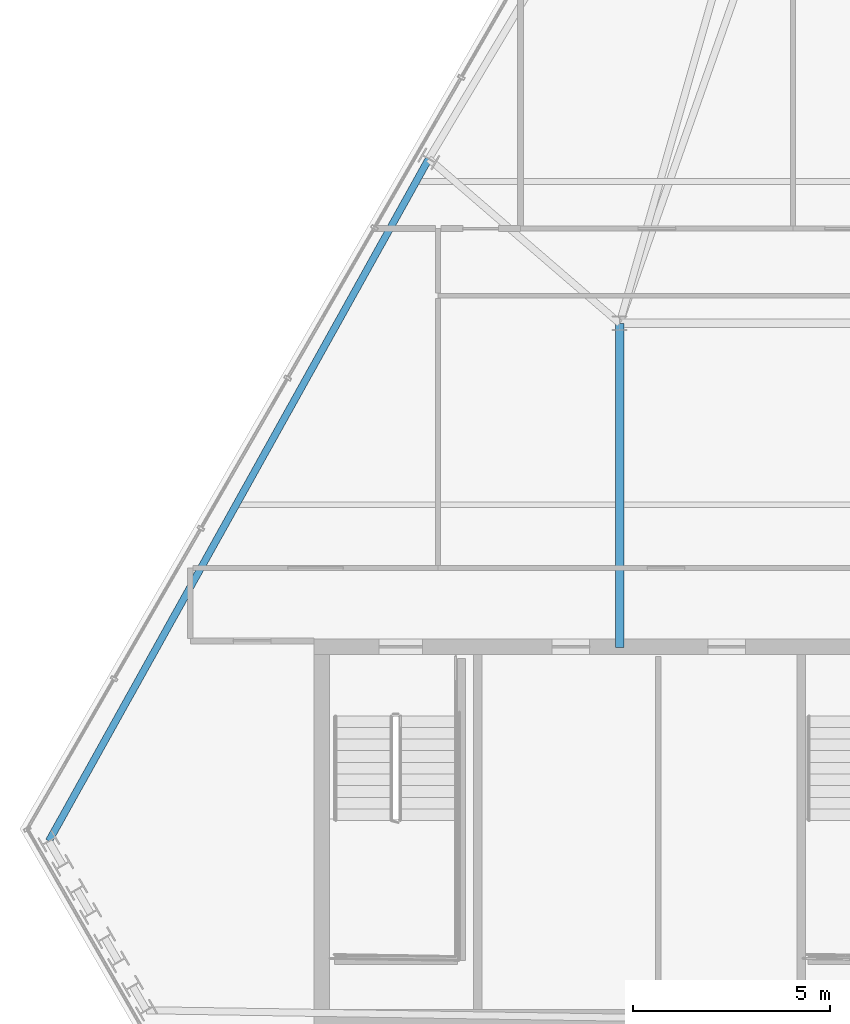
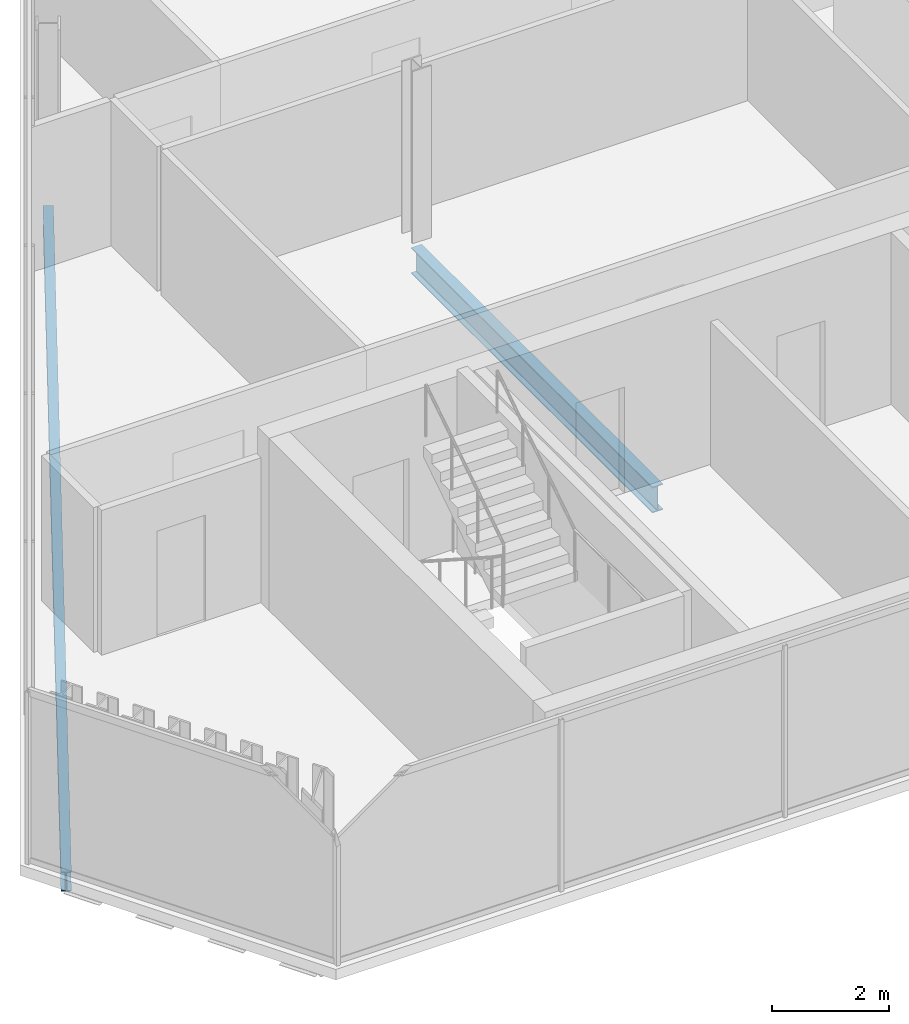
# One storey, part 6 of 32: 2 beams.
"""IFC4 building model written with IfcOpenShell, lengths in metres."""

from ifc_helpers import new_model, si_unit, direction, frame, origin, origin_2d, place, context, subcontext, project, spatial, i_section, extrude, material, material_profile, profile_set, type_object, element, save


model = new_model("IFC4")

# Units and contexts
model_context = context("Model", 3, precision=1e-05, world=origin(), true_north=direction((0.0, 1.0)))
body_context = subcontext(model_context, "Body", "Model", "MODEL_VIEW")
ifc_project = project(units=[si_unit("LENGTHUNIT", "METRE"), si_unit("AREAUNIT", "SQUARE_METRE"), si_unit("VOLUMEUNIT", "CUBIC_METRE"), si_unit("PLANEANGLEUNIT", "RADIAN"), si_unit("MASSUNIT", "GRAM", prefix="KILO")], contexts=[model_context])

# Site, building, storey
site_placement = place(None, origin())
site = spatial("IfcSite", under=ifc_project, at=site_placement, CompositionType="ELEMENT")
building_placement = place(site_placement, origin())
building = spatial("IfcBuilding", under=site, at=building_placement, Name="Ndaravel Arena Tower", CompositionType="ELEMENT")
storey_placement = place(building_placement, frame((0.0, 0.0, 256.0)))
storey = spatial("IfcBuildingStorey", under=building, at=storey_placement, Name="L62", CompositionType="ELEMENT", Elevation=256.0)

# Beams
ifc_material_1 = material(Name="Steel S355", Category="steel")
ifc_material_profile_1 = material_profile(ifc_material_1, i_section(OverallWidth=0.210693359375, OverallDepth=0.53955078125, WebThickness=0.01171875, FlangeThickness=0.018798828125, FilletRadius=0.0126953125, at=origin_2d()), Name="UB 533x210x109")
ifc_profile_set_1 = profile_set([ifc_material_profile_1], Name="Steel S355")
beam_type_1 = type_object("IfcBeamType", Name="BM-GIRD-UB533", PredefinedType="BEAM", material=ifc_profile_set_1)
beam_1_placement = place(storey_placement, frame((34.199951171875, 14.97998046875, -0.48974609375), z_axis=(0.0, 1.0, 0.0), x_axis=(-1.0, 0.0, 0.0)))
element("IfcBeam", 1, at=beam_1_placement, inside=storey, type_object=beam_type_1, Name="L62 Spine Link Girder SLG-01", PredefinedType="BEAM", context=body_context, shape_type="SweptSolid", body=[
    extrude(i_section(OverallWidth=0.210693359375, OverallDepth=0.53955078125, WebThickness=0.01171875, FlangeThickness=0.018798828125, FilletRadius=0.0126953125, at=origin_2d()), origin(), (0.0, 0.0, 1.0), 8.219970703125),
])
ifc_material_2 = material(Name="Steel S355", Category="steel")
ifc_material_profile_2 = material_profile(ifc_material_2, i_section(OverallWidth=0.179931640625, OverallDepth=0.39990234375, WebThickness=0.008544921875, FlangeThickness=0.013427734375, FilletRadius=0.02099609375, at=origin_2d()), Name="IPE 400")
ifc_profile_set_2 = profile_set([ifc_material_profile_2], Name="Steel S355")
beam_type_2 = type_object("IfcBeamType", Name="BM-SPAN-IPE400", PredefinedType="SPANDREL", material=ifc_profile_set_2)
beam_2_placement = place(storey_placement, frame((29.362060546875, 27.36962890625, -0.419921875), z_axis=(-0.486544183945, -0.873655971804, 0.0), x_axis=(0.873655971804, -0.486544183945, 0.0)))
element("IfcBeam", 2, at=beam_2_placement, inside=storey, type_object=beam_type_2, Name="L62 Perimeter Spandrel Beam SP-19", PredefinedType="SPANDREL", context=body_context, shape_type="SweptSolid", body=[
    extrude(i_section(OverallWidth=0.179931640625, OverallDepth=0.39990234375, WebThickness=0.008544921875, FlangeThickness=0.013427734375, FilletRadius=0.02099609375, at=origin_2d()), origin(), (0.0, 0.0, 1.0), 19.79736328125),
])

save(model, "model.ifc")
